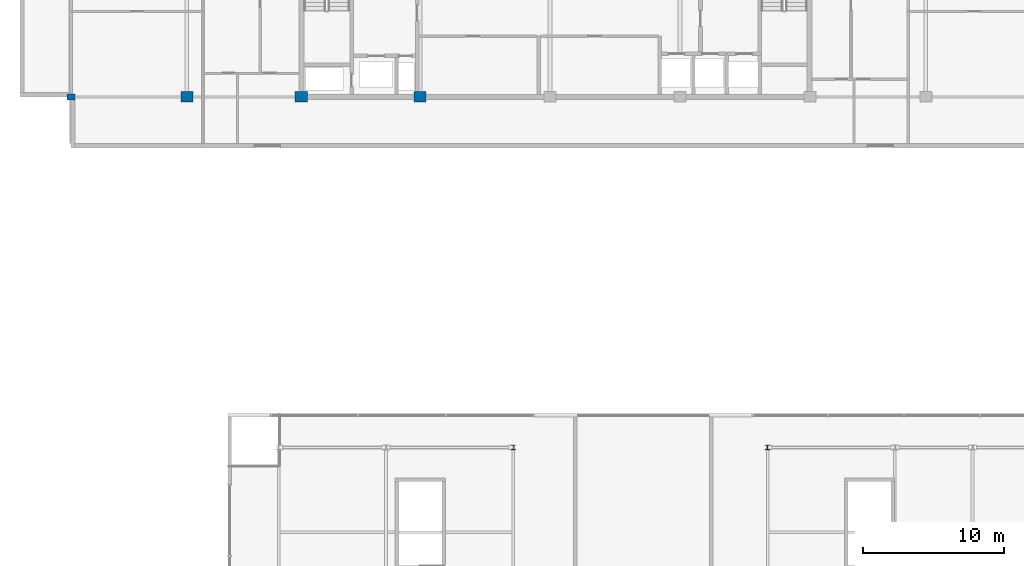
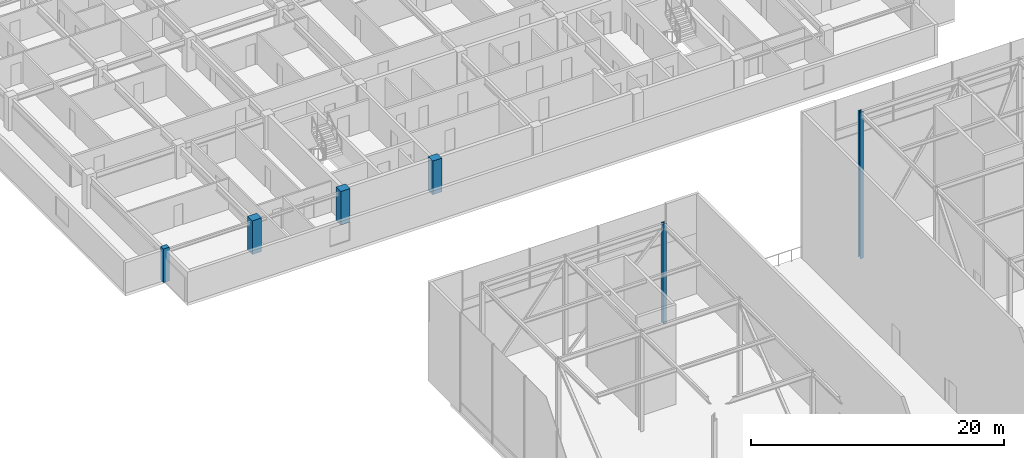
# One storey, part 2 of 42: 6 columns.
"""IFC4 building model written with IfcOpenShell, lengths in metres."""

from ifc_helpers import new_model, si_unit, direction, frame, origin, origin_2d, place, context, subcontext, project, spatial, rectangle, i_section, extrude, material, material_profile, profile_set, type_object, element, save


model = new_model("IFC4")

# Units and contexts
model_context = context("Model", 3, precision=1e-05, world=origin(), true_north=direction((0.0, 1.0)))
body_context = subcontext(model_context, "Body", "Model", "MODEL_VIEW")
ifc_project = project(units=[si_unit("LENGTHUNIT", "METRE"), si_unit("AREAUNIT", "SQUARE_METRE"), si_unit("VOLUMEUNIT", "CUBIC_METRE"), si_unit("PLANEANGLEUNIT", "RADIAN"), si_unit("MASSUNIT", "GRAM", prefix="KILO")], contexts=[model_context])

# Site, building, storey
site_placement = place(None, origin())
site = spatial("IfcSite", under=ifc_project, at=site_placement, CompositionType="ELEMENT")
building_placement = place(site_placement, origin())
building = spatial("IfcBuilding", under=site, at=building_placement, Name="Korimba Cascade Residences", CompositionType="ELEMENT")
storey_placement = place(building_placement, frame((0.0, 0.0, 207.60009765625)))
storey = spatial("IfcBuildingStorey", under=building, at=storey_placement, Name="L60", CompositionType="ELEMENT", Elevation=207.60009765625)

# Columns
ifc_material_1 = material(Name="Concrete C65/80", Category="concrete")
ifc_material_profile_1 = material_profile(ifc_material_1, rectangle(XDim=0.550048828125, YDim=0.449951171875, at=origin_2d()), Name="Concrete C65/80")
ifc_profile_set_1 = profile_set([ifc_material_profile_1], Name="Concrete C65/80")
column_type_1 = type_object("IfcColumnType", Name="COL-PIL-550", PredefinedType="PILASTER", material=ifc_profile_set_1)
column_1_placement = place(storey_placement, frame((59.800048828125, 55.199951171875, 0.0), z_axis=(0.0, 0.0, 1.0), x_axis=(1.0, 0.0, 0.0)))
element("IfcColumn", 1, at=column_1_placement, inside=storey, type_object=column_type_1, Name="L60 Tower 1 Column 1.1", PredefinedType="PILASTER", context=body_context, shape_type="SweptSolid", body=[
    extrude(rectangle(XDim=0.550048828125, YDim=0.449951171875, at=origin_2d()), origin(), (0.0, 0.0, 1.0), 3.25),
])
ifc_material_profile_2 = material_profile(ifc_material_1, rectangle(XDim=0.85009765625, YDim=0.75, at=origin_2d()), Name="Concrete C65/80")
ifc_profile_set_2 = profile_set([ifc_material_profile_2], Name="Concrete C65/80")
column_type_2 = type_object("IfcColumnType", Name="COL-RC-850", PredefinedType="COLUMN", material=ifc_profile_set_2)
for number, where, z_axis, x_axis, name in (
    (2, (68.0, 55.199951171875, 0.0), (0.0, 0.0, 1.0), (1.0, 0.0, 0.0), "L60 Tower 1 Column 2.1"),
    (3, (76.10009765625, 55.199951171875, 0.0), (0.0, 0.0, 1.0), (1.0, 0.0, 0.0), "L60 Tower 1 Column 3.1"),
    (4, (84.5, 55.199951171875, 0.0), (0.0, 0.0, 1.0), (1.0, 0.0, 0.0), "L60 Tower 1 Column 4.1"),
):
    element("IfcColumn", number, at=place(storey_placement, frame(where, z_axis=z_axis, x_axis=x_axis)), inside=storey, type_object=column_type_2, Name=name, PredefinedType="COLUMN", context=body_context, shape_type="SweptSolid", body=[
        extrude(rectangle(XDim=0.85009765625, YDim=0.75, at=origin_2d()), origin(), (0.0, 0.0, 1.0), 3.25),
    ])
ifc_material_2 = material(Name="Steel S355", Category="steel")
ifc_material_profile_3 = material_profile(ifc_material_2, i_section(OverallWidth=0.314453125, OverallDepth=0.33984375, WebThickness=0.01904296875, FlangeThickness=0.031494140625, FilletRadius=0.01513671875, at=origin_2d()), Name="Steel S355")
ifc_profile_set_3 = profile_set([ifc_material_profile_3], Name="Steel S355")
column_type_3 = type_object("IfcColumnType", Name="COL-STL-UC198", PredefinedType="COLUMN", material=ifc_profile_set_3)
column_2_placement = place(storey_placement, frame((91.10009765625, 30.39990234375, 0.0), z_axis=(0.0, 0.0, 1.0), x_axis=(1.0, 0.0, 0.0)))
element("IfcColumn", 5, at=column_2_placement, inside=storey, type_object=column_type_3, Name="L60 Split-Top Crown Frame Post W3.4", PredefinedType="COLUMN", context=body_context, shape_type="SweptSolid", body=[
    extrude(i_section(OverallWidth=0.314453125, OverallDepth=0.33984375, WebThickness=0.01904296875, FlangeThickness=0.031494140625, FilletRadius=0.01513671875, at=origin_2d()), origin(), (0.0, 0.0, 1.0), 9.64990234375),
])
column_3_placement = place(storey_placement, frame((109.10009765625, 30.39990234375, 0.0), z_axis=(0.0, 0.0, 1.0), x_axis=(1.0, 0.0, 0.0)))
element("IfcColumn", 6, at=column_3_placement, inside=storey, type_object=column_type_3, Name="L60 Split-Top Crown Frame Post E1.4", PredefinedType="COLUMN", context=body_context, shape_type="SweptSolid", body=[
    extrude(i_section(OverallWidth=0.314453125, OverallDepth=0.33984375, WebThickness=0.01904296875, FlangeThickness=0.031494140625, FilletRadius=0.01513671875, at=origin_2d()), origin(), (0.0, 0.0, 1.0), 14.14990234375),
])

save(model, "model.ifc")
